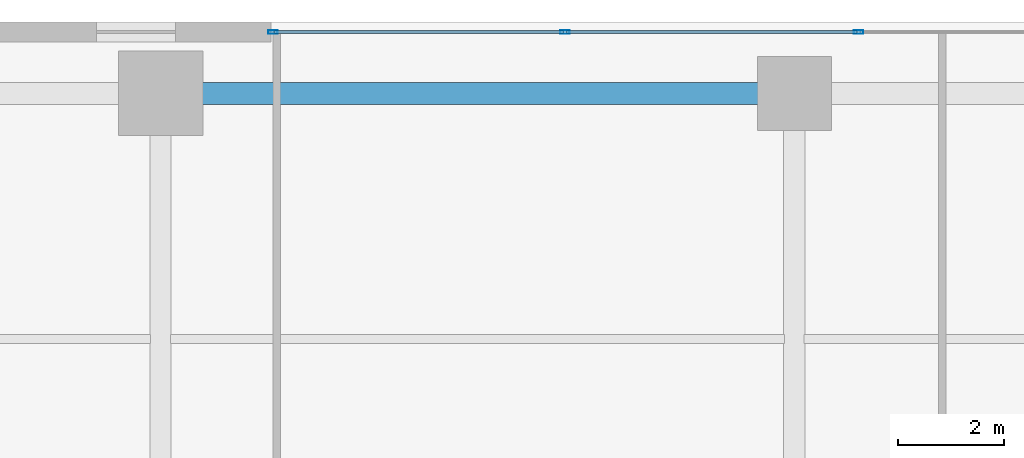
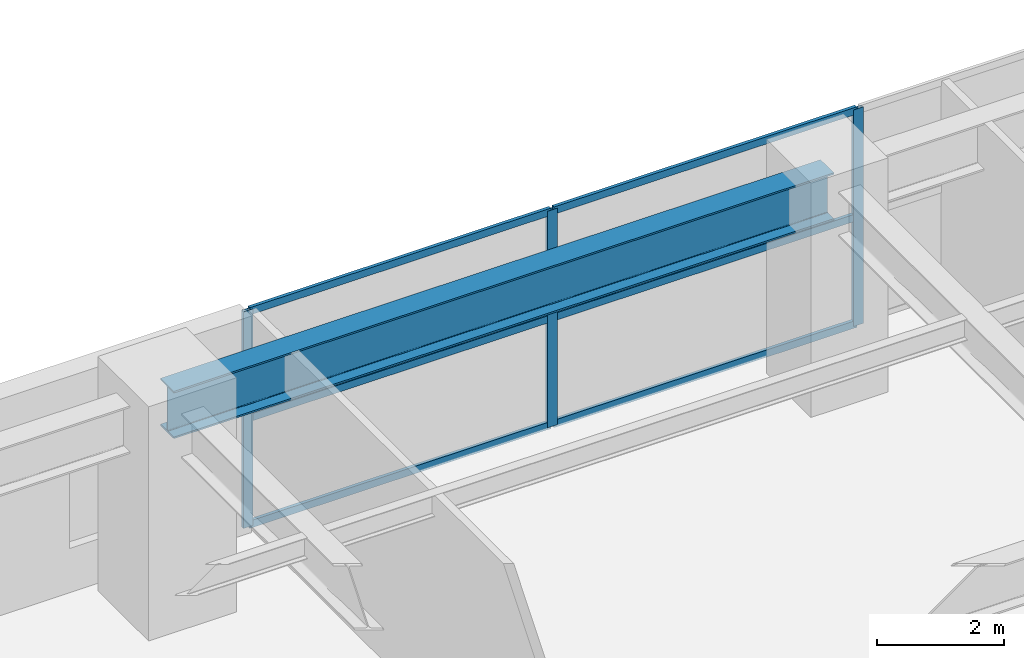
# One storey, part 5 of 28: 9 members, 1 beam, 1 element without a shape of its own.
"""IFC4 building model written with IfcOpenShell, lengths in metres."""

from ifc_helpers import new_model, si_unit, direction, frame, origin, origin_2d, place, context, subcontext, project, spatial, hollow_rectangle, i_section, extrude, source, transform, mapped, material, layer, layer_set, material_profile, profile_set, type_object, element, aggregate, save


model = new_model("IFC4")

# Units and contexts
model_context = context("Model", 3, precision=1e-05, world=origin(), true_north=direction((0.0, 1.0)))
body_context = subcontext(model_context, "Body", "Model", "MODEL_VIEW")
ifc_project = project(units=[si_unit("LENGTHUNIT", "METRE"), si_unit("AREAUNIT", "SQUARE_METRE"), si_unit("VOLUMEUNIT", "CUBIC_METRE"), si_unit("PLANEANGLEUNIT", "RADIAN"), si_unit("MASSUNIT", "GRAM", prefix="KILO")], contexts=[model_context])

# Site, building, storey
site_placement = place(None, origin())
site = spatial("IfcSite", under=ifc_project, at=site_placement, CompositionType="ELEMENT")
building_placement = place(site_placement, origin())
building = spatial("IfcBuilding", under=site, at=building_placement, Name="Khoralis Quay Care Tower", CompositionType="ELEMENT")
storey_placement = place(building_placement, frame((0.0, 0.0, 9.0)))
storey = spatial("IfcBuildingStorey", under=building, at=storey_placement, Name="L02", CompositionType="ELEMENT", Elevation=9.0)

# Beam
ifc_material_1 = material(Name="Steel S355", Category="steel")
ifc_material_profile_1 = material_profile(ifc_material_1, i_section(OverallWidth=0.41796875, OverallDepth=0.912109375, WebThickness=0.019287109375, FlangeThickness=0.031982421875, FilletRadius=0.02392578125, at=origin_2d()), Name="Steel S355")
ifc_profile_set_1 = profile_set([ifc_material_profile_1], Name="Steel S355")
beam_type = type_object("IfcBeamType", Name="BM-W920X342", PredefinedType="BEAM", material=ifc_profile_set_1)
shared_shape_1 = source(origin(), body_context, "Body", "SweptSolid", [
    extrude(i_section(OverallWidth=0.41796875, OverallDepth=0.912109375, WebThickness=0.019287109375, FlangeThickness=0.031982421875, FilletRadius=0.02392578125, at=origin_2d()), origin(), (0.0, 0.0, 1.0), 12.0),
])
beam_placement = place(storey_placement, frame((12.0, 46.64990234375, 3.7041015625), z_axis=(1.0, 0.0, 0.0), x_axis=(0.0, 1.0, 0.0)))
element("IfcBeam", 1, at=beam_placement, inside=storey, type_object=beam_type, Name="BM-PODX-L02-20", PredefinedType="BEAM", context=body_context, shape_type="MappedRepresentation", body=[
    mapped(shared_shape_1, transform((0.0, 0.0, 0.0), scale=1.0)),
])

# Curtain wall, members
ifc_material_2 = material(Name="Pale anodised aluminium", Category="aluminium")
ifc_layer = layer(ifc_material_2, 0.179931640625)
ifc_layer_set = layer_set([ifc_layer], Name="Pale anodised aluminium")
curtain_wall_type = type_object("IfcCurtainWallType", Name="CW-SYS-Z1", PredefinedType="NOTDEFINED", material=ifc_layer_set)
curtain_wall_placement = place(storey_placement, origin())
curtain_wall = element("IfcCurtainWall", 2, at=curtain_wall_placement, inside=storey, type_object=curtain_wall_type, Name="L02 Unitised Curtain Wall CW-POD-L02-E4", PredefinedType="NOTDEFINED")
ifc_material_profile_2 = material_profile(ifc_material_2, hollow_rectangle(XDim=0.06494140625, YDim=0.179931640625, WallThickness=0.00390625, at=origin_2d()), Name="Pale anodised aluminium")
ifc_profile_set_2 = profile_set([ifc_material_profile_2], Name="Pale anodised aluminium")
member_type_1 = type_object("IfcMemberType", Name="CW-MUL-180", PredefinedType="MULLION", material=ifc_profile_set_2)
shared_shape_2 = source(origin(), body_context, "Body", "SweptSolid", [
    extrude(hollow_rectangle(XDim=0.06494140625, YDim=0.179931640625, WallThickness=0.00390625, at=origin_2d()), origin(), (0.0, 0.0, 1.0), 4.159912109375),
])
member_1_placement = place(storey_placement, frame((25.218994140625, 47.81005859375, 0.0), z_axis=(0.0, 0.0, 1.0), x_axis=(0.0, -1.0, 0.0)))
member_1 = element("IfcMember", 3, at=member_1_placement, type_object=member_type_1, Name="CW1 mullion 4", PredefinedType="MULLION", context=body_context, shape_type="MappedRepresentation", body=[
    mapped(shared_shape_2, transform((0.0, 0.0, 0.0), scale=1.0)),
])
member_2_placement = place(storey_placement, frame((19.656982421875, 47.81005859375, 0.0), z_axis=(0.0, 0.0, 1.0), x_axis=(0.0, -1.0, 0.0)))
member_2 = element("IfcMember", 4, at=member_2_placement, type_object=member_type_1, Name="CW1 mullion 5", PredefinedType="MULLION", context=body_context, shape_type="MappedRepresentation", body=[
    mapped(shared_shape_2, transform((0.0, 0.0, 0.0), scale=1.0)),
])
member_3_placement = place(storey_placement, frame((14.125, 47.81005859375, 0.0), z_axis=(0.0, 0.0, 1.0), x_axis=(0.0, -1.0, 0.0)))
member_3 = element("IfcMember", 5, at=member_3_placement, type_object=member_type_1, Name="CW1 mullion 6", PredefinedType="MULLION", context=body_context, shape_type="MappedRepresentation", body=[
    mapped(shared_shape_2, transform((0.0, 0.0, 0.0), scale=1.0)),
])
ifc_material_profile_3 = material_profile(ifc_material_2, hollow_rectangle(XDim=0.06005859375, YDim=0.139892578125, WallThickness=0.00390625, at=origin_2d()), Name="Pale anodised aluminium")
ifc_profile_set_3 = profile_set([ifc_material_profile_3], Name="Pale anodised aluminium")
member_type_2 = type_object("IfcMemberType", Name="CW-TRN-140", PredefinedType="USERDEFINED", material=ifc_profile_set_3)
shared_shape_3 = source(origin(), body_context, "Body", "SweptSolid", [
    extrude(hollow_rectangle(XDim=0.06005859375, YDim=0.139892578125, WallThickness=0.00390625, at=origin_2d()), origin(), (0.0, 0.0, 1.0), 5.471923828125),
])
member_4_placement = place(storey_placement, frame((19.626953125, 47.81005859375, 0.030029296875), z_axis=(-1.0, 0.0, 0.0), x_axis=(0.0, -1.0, 0.0)))
member_4 = element("IfcMember", 6, at=member_4_placement, type_object=member_type_2, Name="CW1 transom 5.1", ObjectType="TRANSOM", PredefinedType="USERDEFINED", context=body_context, shape_type="MappedRepresentation", body=[
    mapped(shared_shape_3, transform((0.0, 0.0, 0.0), scale=1.0)),
])
member_5_placement = place(storey_placement, frame((19.626953125, 47.81005859375, 2.080078125), z_axis=(-1.0, 0.0, 0.0), x_axis=(0.0, -1.0, 0.0)))
member_5 = element("IfcMember", 7, at=member_5_placement, type_object=member_type_2, Name="CW1 transom 5.2", ObjectType="TRANSOM", PredefinedType="USERDEFINED", context=body_context, shape_type="MappedRepresentation", body=[
    mapped(shared_shape_3, transform((0.0, 0.0, 0.0), scale=1.0)),
])
member_6_placement = place(storey_placement, frame((19.626953125, 47.81005859375, 4.1298828125), z_axis=(-1.0, 0.0, 0.0), x_axis=(0.0, -1.0, 0.0)))
member_6 = element("IfcMember", 8, at=member_6_placement, type_object=member_type_2, Name="CW1 transom 5.3", ObjectType="TRANSOM", PredefinedType="USERDEFINED", context=body_context, shape_type="MappedRepresentation", body=[
    mapped(shared_shape_3, transform((0.0, 0.0, 0.0), scale=1.0)),
])
shared_shape_4 = source(origin(), body_context, "Body", "SweptSolid", [
    extrude(hollow_rectangle(XDim=0.06005859375, YDim=0.139892578125, WallThickness=0.00390625, at=origin_2d()), origin(), (0.0, 0.0, 1.0), 5.501953125),
])
member_7_placement = place(storey_placement, frame((25.18896484375, 47.81005859375, 0.030029296875), z_axis=(-1.0, 0.0, 0.0), x_axis=(0.0, -1.0, 0.0)))
member_7 = element("IfcMember", 9, at=member_7_placement, type_object=member_type_2, Name="CW1 transom 4.1", ObjectType="TRANSOM", PredefinedType="USERDEFINED", context=body_context, shape_type="MappedRepresentation", body=[
    mapped(shared_shape_4, transform((0.0, 0.0, 0.0), scale=1.0)),
])
member_8_placement = place(storey_placement, frame((25.18896484375, 47.81005859375, 2.080078125), z_axis=(-1.0, 0.0, 0.0), x_axis=(0.0, -1.0, 0.0)))
member_8 = element("IfcMember", 10, at=member_8_placement, type_object=member_type_2, Name="CW1 transom 4.2", ObjectType="TRANSOM", PredefinedType="USERDEFINED", context=body_context, shape_type="MappedRepresentation", body=[
    mapped(shared_shape_4, transform((0.0, 0.0, 0.0), scale=1.0)),
])
member_9_placement = place(storey_placement, frame((25.18896484375, 47.81005859375, 4.1298828125), z_axis=(-1.0, 0.0, 0.0), x_axis=(0.0, -1.0, 0.0)))
member_9 = element("IfcMember", 11, at=member_9_placement, type_object=member_type_2, Name="CW1 transom 4.3", ObjectType="TRANSOM", PredefinedType="USERDEFINED", context=body_context, shape_type="MappedRepresentation", body=[
    mapped(shared_shape_4, transform((0.0, 0.0, 0.0), scale=1.0)),
])
aggregate(curtain_wall, [member_1, member_2, member_3, member_7, member_8, member_9, member_4, member_5, member_6])

save(model, "model.ifc")
